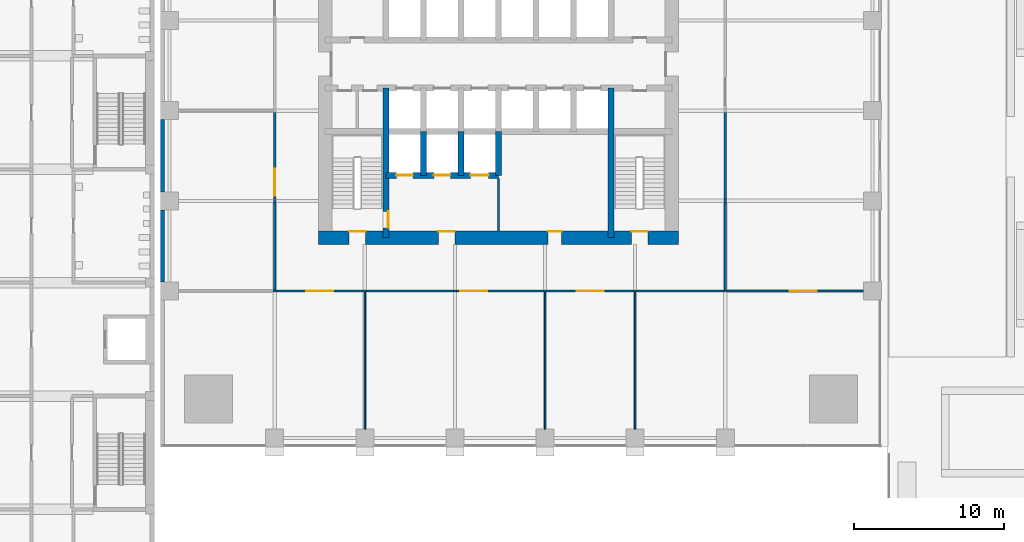
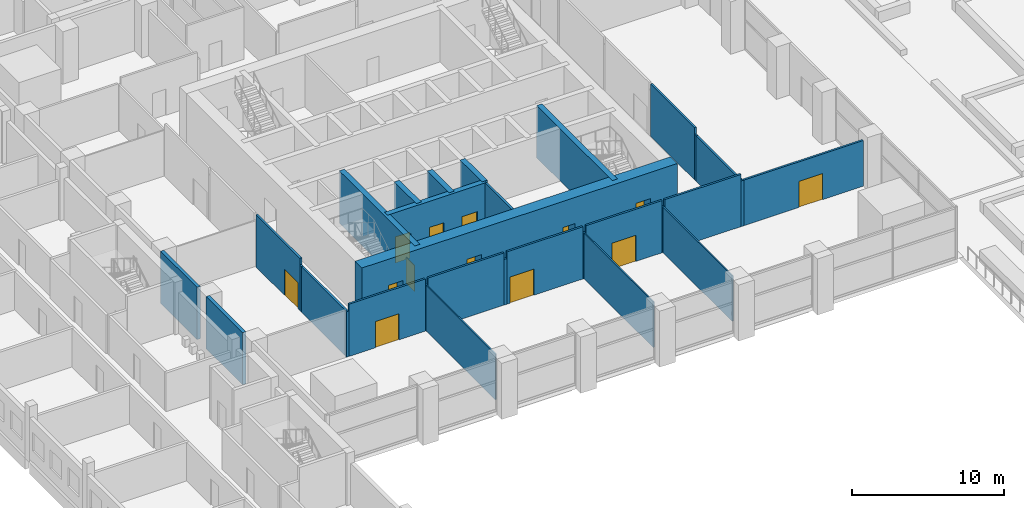
# One storey, part 19 of 34: 31 walls, 13 doors, 13 openings.
"""IFC4 building model written with IfcOpenShell, lengths in metres."""

from ifc_helpers import new_model, si_unit, direction, frame, frame_2d, origin, place, context, subcontext, project, spatial, rectangle, extrude, material, layer, layer_set, type_object, element, fill, save


model = new_model("IFC4")

# Units and contexts
model_context = context("Model", 3, precision=1e-05, world=origin(), true_north=direction((0.0, 1.0)))
body_context = subcontext(model_context, "Body", "Model", "MODEL_VIEW")
ifc_project = project(units=[si_unit("LENGTHUNIT", "METRE"), si_unit("AREAUNIT", "SQUARE_METRE"), si_unit("VOLUMEUNIT", "CUBIC_METRE"), si_unit("PLANEANGLEUNIT", "RADIAN"), si_unit("MASSUNIT", "GRAM", prefix="KILO")], contexts=[model_context])

# Site, building, storey
site_placement = place(None, origin())
site = spatial("IfcSite", under=ifc_project, at=site_placement, CompositionType="ELEMENT")
building_placement = place(site_placement, origin())
building = spatial("IfcBuilding", under=site, at=building_placement, Name="Amberfall Residences", CompositionType="ELEMENT")
storey_placement = place(building_placement, frame((0.0, 0.0, 5.5)))
storey = spatial("IfcBuildingStorey", under=building, at=storey_placement, Name="L01", CompositionType="ELEMENT", Elevation=5.5)

# Wall, opening, door
ifc_material_1 = material(Name="Concrete C80", Category="concrete")
ifc_layer_1 = layer(ifc_material_1, 0.39990234375)
ifc_layer_set_1 = layer_set([ifc_layer_1], Name="Core wall 400 C80")
wall_type_1 = type_object("IfcWallType", Name="Core wall 400 C80", PredefinedType="SHEAR", material=ifc_layer_set_1)
wall_1_placement = place(storey_placement, frame((67.0, 33.949951171875, 0.0), z_axis=(0.0, 0.0, 1.0), x_axis=(0.0, 1.0, 0.0)))
wall_1 = element("IfcWall", 1, at=wall_1_placement, inside=storey, type_object=wall_type_1, Name="Core wall RW2 L01 V45S", PredefinedType="SHEAR", context=body_context, shape_type="SweptSolid", body=[
    extrude(rectangle(XDim=9.949951171875, YDim=0.39990234375, at=frame_2d((4.97509765625, 0.0))), origin(), (0.0, 0.0, 1.0), 4.199951171875),
])
opening_1_placement = place(wall_1_placement, frame((0.64990234375, 0.0, 0.0)))
opening_1 = element("IfcOpeningElement", 2, at=opening_1_placement, cuts=wall_1, Name="Opening FL1", PredefinedType="OPENING", context=body_context, shape_type="SweptSolid", body=[
    extrude(rectangle(XDim=1.10009765625, YDim=2.10009765625, at=frame_2d((0.550048828125, 1.050048828125))), frame((0.0, 0.2099609375, 0.0), z_axis=(0.0, -1.0, 0.0), x_axis=(1.0, 0.0, 0.0)), (0.0, 0.0, 1.0), 0.419921875),
])
ifc_material_2 = material(Name="Steel fire door set", Category="steel")
door_type_1 = type_object("IfcDoorType", Name="Firefighting lobby door 1100 x 2100", OperationType="SINGLE_SWING_LEFT", PredefinedType="DOOR", material=ifc_material_2)
door_1_placement = place(opening_1_placement, origin())
door_1 = element("IfcDoor", 3, at=door_1_placement, inside=storey, type_object=door_type_1, Name="FL1 L01", OperationType="SINGLE_SWING_RIGHT", OverallHeight=2.10009765625, OverallWidth=1.10009765625, PredefinedType="DOOR", context=body_context, shape_type="SweptSolid", body=[
    extrude(rectangle(XDim=1.10009765625, YDim=2.10009765625, at=frame_2d((0.550048828125, 1.050048828125))), frame((0.0, -0.1376953125, 0.0), z_axis=(0.0, -1.0, 0.0), x_axis=(1.0, 0.0, 0.0)), (0.0, 0.0, 1.0), 0.050048828125),
])
fill(opening_1, door_1)

# Wall
wall_2_placement = place(storey_placement, frame((82.0, 33.949951171875, 0.0), z_axis=(0.0, 0.0, 1.0), x_axis=(0.0, 1.0, 0.0)))
element("IfcWall", 4, at=wall_2_placement, inside=storey, type_object=wall_type_1, Name="Core wall RW2 L01 V195S", PredefinedType="SHEAR", context=body_context, shape_type="SweptSolid", body=[
    extrude(rectangle(XDim=9.949951171875, YDim=0.39990234375, at=frame_2d((4.97509765625, 0.0))), origin(), (0.0, 0.0, 1.0), 4.199951171875),
])

# Wall, openings, doors
wall_3_placement = place(storey_placement, frame((67.0, 38.10009765625, 0.0), z_axis=(0.0, 0.0, 1.0), x_axis=(1.0, 0.0, 0.0)))
wall_3 = element("IfcWall", 5, at=wall_3_placement, inside=storey, type_object=wall_type_1, Name="Core wall RW2 L01 FFF", PredefinedType="SHEAR", context=body_context, shape_type="SweptSolid", body=[
    extrude(rectangle(XDim=7.5, YDim=0.39990234375, at=frame_2d((3.75, 0.0))), origin(), (0.0, 0.0, 1.0), 4.199951171875),
])
opening_2_placement = place(wall_3_placement, frame((0.699951171875, 0.0, 0.0)))
opening_2 = element("IfcOpeningElement", 6, at=opening_2_placement, cuts=wall_3, Name="Opening LD2", PredefinedType="OPENING", context=body_context, shape_type="SweptSolid", body=[
    extrude(rectangle(XDim=1.10009765625, YDim=2.10009765625, at=frame_2d((0.550048828125, 1.050048828125))), frame((0.0, 0.2099609375, 0.0), z_axis=(0.0, -1.0, 0.0), x_axis=(1.0, 0.0, 0.0)), (0.0, 0.0, 1.0), 0.419921875),
])
opening_3_placement = place(wall_3_placement, frame((3.199951171875, 0.0, 0.0)))
opening_3 = element("IfcOpeningElement", 7, at=opening_3_placement, cuts=wall_3, Name="Opening LD2", PredefinedType="OPENING", context=body_context, shape_type="SweptSolid", body=[
    extrude(rectangle(XDim=1.10009765625, YDim=2.10009765625, at=frame_2d((0.550048828125, 1.050048828125))), frame((0.0, 0.2099609375, 0.0), z_axis=(0.0, -1.0, 0.0), x_axis=(1.0, 0.0, 0.0)), (0.0, 0.0, 1.0), 0.419921875),
])
opening_4_placement = place(wall_3_placement, frame((5.64990234375, 0.0, 0.0)))
opening_4 = element("IfcOpeningElement", 8, at=opening_4_placement, cuts=wall_3, Name="Opening LD3", PredefinedType="OPENING", context=body_context, shape_type="SweptSolid", body=[
    extrude(rectangle(XDim=1.199951171875, YDim=2.10009765625, at=frame_2d((0.60009765625, 1.050048828125))), frame((0.0, 0.2099609375, 0.0), z_axis=(0.0, -1.0, 0.0), x_axis=(1.0, 0.0, 0.0)), (0.0, 0.0, 1.0), 0.419921875),
])
door_type_2 = type_object("IfcDoorType", Name="Firefighting lift landing door 1100 x 2100", OperationType="DOUBLE_DOOR_SLIDING", PredefinedType="DOOR", material=ifc_material_2)
door_2_placement = place(opening_2_placement, origin())
door_2 = element("IfcDoor", 9, at=door_2_placement, inside=storey, type_object=door_type_2, Name="Landing door FF1 L01", OperationType="DOUBLE_DOOR_SLIDING", OverallHeight=2.10009765625, OverallWidth=1.10009765625, PredefinedType="DOOR", context=body_context, shape_type="SweptSolid", body=[
    extrude(rectangle(XDim=1.10009765625, YDim=2.10009765625, at=frame_2d((0.550048828125, 1.050048828125))), frame((0.0, 0.02490234375, 0.0), z_axis=(0.0, -1.0, 0.0), x_axis=(1.0, 0.0, 0.0)), (0.0, 0.0, 1.0), 0.050048828125),
])
fill(opening_2, door_2)
door_3_placement = place(opening_3_placement, origin())
door_3 = element("IfcDoor", 10, at=door_3_placement, inside=storey, type_object=door_type_2, Name="Landing door FF2 L01", OperationType="DOUBLE_DOOR_SLIDING", OverallHeight=2.10009765625, OverallWidth=1.10009765625, PredefinedType="DOOR", context=body_context, shape_type="SweptSolid", body=[
    extrude(rectangle(XDim=1.10009765625, YDim=2.10009765625, at=frame_2d((0.550048828125, 1.050048828125))), frame((0.0, 0.02490234375, 0.0), z_axis=(0.0, -1.0, 0.0), x_axis=(1.0, 0.0, 0.0)), (0.0, 0.0, 1.0), 0.050048828125),
])
fill(opening_3, door_3)
door_type_3 = type_object("IfcDoorType", Name="Service lift landing door 1200 x 2100", OperationType="DOUBLE_DOOR_SLIDING", PredefinedType="DOOR", material=ifc_material_2)
door_4_placement = place(opening_4_placement, origin())
door_4 = element("IfcDoor", 11, at=door_4_placement, inside=storey, type_object=door_type_3, Name="Landing door SL1 L01", OperationType="DOUBLE_DOOR_SLIDING", OverallHeight=2.10009765625, OverallWidth=1.199951171875, PredefinedType="DOOR", context=body_context, shape_type="SweptSolid", body=[
    extrude(rectangle(XDim=1.199951171875, YDim=2.10009765625, at=frame_2d((0.60009765625, 1.050048828125))), frame((0.0, 0.02490234375, 0.0), z_axis=(0.0, -1.0, 0.0), x_axis=(1.0, 0.0, 0.0)), (0.0, 0.0, 1.0), 0.050048828125),
])
fill(opening_4, door_4)

# Walls
for number, where, z_axis, x_axis, name in (
    (12, (69.5, 38.10009765625, 0.0), (0.0, 0.0, 1.0), (0.0, 1.0, 0.0), "Core wall RW2 L01 FFD1"),
    (13, (72.0, 38.10009765625, 0.0), (0.0, 0.0, 1.0), (0.0, 1.0, 0.0), "Core wall RW2 L01 FFD2"),
    (14, (74.5, 38.10009765625, 0.0), (0.0, 0.0, 1.0), (0.0, 1.0, 0.0), "Core wall RW2 L01 FFD3"),
):
    element("IfcWall", number, at=place(storey_placement, frame(where, z_axis=z_axis, x_axis=x_axis)), inside=storey, type_object=wall_type_1, Name=name, PredefinedType="SHEAR", context=body_context, shape_type="SweptSolid", body=[
        extrude(rectangle(XDim=2.89990234375, YDim=0.39990234375, at=frame_2d((1.449951171875, 0.0))), origin(), (0.0, 0.0, 1.0), 4.199951171875),
    ])

# Wall, openings, doors
ifc_layer_2 = layer(ifc_material_1, 0.89990234375)
ifc_layer_set_2 = layer_set([ifc_layer_2], Name="Core wall 900 C80")
wall_type_2 = type_object("IfcWallType", Name="Core wall 900 C80", PredefinedType="SHEAR", material=ifc_layer_set_2)
wall_4_placement = place(storey_placement, frame((62.5, 33.949951171875, 0.0), z_axis=(0.0, 0.0, 1.0), x_axis=(1.0, 0.0, 0.0)))
wall_4 = element("IfcWall", 15, at=wall_4_placement, inside=storey, type_object=wall_type_2, Name="Core wall RW1 L01 OS", PredefinedType="SHEAR", context=body_context, shape_type="SweptSolid", body=[
    extrude(rectangle(XDim=24.0, YDim=0.89990234375, at=frame_2d((12.0, 0.0))), origin(), (0.0, 0.0, 1.0), 4.199951171875),
])
opening_5_placement = place(wall_4_placement, frame((2.050048828125, 0.0, 0.0)))
opening_5 = element("IfcOpeningElement", 16, at=opening_5_placement, cuts=wall_4, Name="Opening SD1", PredefinedType="OPENING", context=body_context, shape_type="SweptSolid", body=[
    extrude(rectangle(XDim=1.10009765625, YDim=2.10009765625, at=frame_2d((0.550048828125, 1.050048828125))), frame((0.0, 0.4599609375, 0.0), z_axis=(0.0, -1.0, 0.0), x_axis=(1.0, 0.0, 0.0)), (0.0, 0.0, 1.0), 0.919921875),
])
opening_6_placement = place(wall_4_placement, frame((20.85009765625, 0.0, 0.0)))
opening_6 = element("IfcOpeningElement", 17, at=opening_6_placement, cuts=wall_4, Name="Opening SD1", PredefinedType="OPENING", context=body_context, shape_type="SweptSolid", body=[
    extrude(rectangle(XDim=1.10009765625, YDim=2.10009765625, at=frame_2d((0.550048828125, 1.050048828125))), frame((0.0, 0.4599609375, 0.0), z_axis=(0.0, -1.0, 0.0), x_axis=(1.0, 0.0, 0.0)), (0.0, 0.0, 1.0), 0.919921875),
])
opening_7_placement = place(wall_4_placement, frame((8.0, 0.0, 0.0)))
opening_7 = element("IfcOpeningElement", 18, at=opening_7_placement, cuts=wall_4, Name="Opening FL1", PredefinedType="OPENING", context=body_context, shape_type="SweptSolid", body=[
    extrude(rectangle(XDim=1.10009765625, YDim=2.10009765625, at=frame_2d((0.550048828125, 1.050048828125))), frame((0.0, 0.4599609375, 0.0), z_axis=(0.0, -1.0, 0.0), x_axis=(1.0, 0.0, 0.0)), (0.0, 0.0, 1.0), 0.919921875),
])
opening_8_placement = place(wall_4_placement, frame((15.300048828125, 0.0, 0.0)))
opening_8 = element("IfcOpeningElement", 19, at=opening_8_placement, cuts=wall_4, Name="Opening RD1", PredefinedType="OPENING", context=body_context, shape_type="SweptSolid", body=[
    extrude(rectangle(XDim=0.89990234375, YDim=2.10009765625, at=frame_2d((0.449951171875, 1.050048828125))), frame((0.0, 0.4599609375, 0.0), z_axis=(0.0, -1.0, 0.0), x_axis=(1.0, 0.0, 0.0)), (0.0, 0.0, 1.0), 0.919921875),
])
door_5_placement = place(opening_7_placement, origin())
door_5 = element("IfcDoor", 20, at=door_5_placement, inside=storey, type_object=door_type_1, Name="FL1 L01", OperationType="SINGLE_SWING_LEFT", OverallHeight=2.10009765625, OverallWidth=1.10009765625, PredefinedType="DOOR", context=body_context, shape_type="SweptSolid", body=[
    extrude(rectangle(XDim=1.10009765625, YDim=2.10009765625, at=frame_2d((0.550048828125, 1.050048828125))), frame((0.0, 0.4375, 0.0), z_axis=(0.0, -1.0, 0.0), x_axis=(1.0, 0.0, 0.0)), (0.0, 0.0, 1.0), 0.050048828125),
])
fill(opening_7, door_5)
door_type_4 = type_object("IfcDoorType", Name="Service room door 900 x 2100", OperationType="SINGLE_SWING_LEFT", PredefinedType="DOOR", material=ifc_material_2)
door_6_placement = place(opening_8_placement, origin())
door_6 = element("IfcDoor", 21, at=door_6_placement, inside=storey, type_object=door_type_4, Name="RD1 L01", OperationType="SINGLE_SWING_LEFT", OverallHeight=2.10009765625, OverallWidth=0.89990234375, PredefinedType="DOOR", context=body_context, shape_type="SweptSolid", body=[
    extrude(rectangle(XDim=0.89990234375, YDim=2.10009765625, at=frame_2d((0.449951171875, 1.050048828125))), frame((0.0, 0.4375, 0.0), z_axis=(0.0, -1.0, 0.0), x_axis=(1.0, 0.0, 0.0)), (0.0, 0.0, 1.0), 0.050048828125),
])
fill(opening_8, door_6)
door_type_5 = type_object("IfcDoorType", Name="Stair door 1100 x 2100", OperationType="SINGLE_SWING_LEFT", PredefinedType="DOOR", material=ifc_material_2)
door_7_placement = place(opening_5_placement, origin())
door_7 = element("IfcDoor", 22, at=door_7_placement, inside=storey, type_object=door_type_5, Name="SD1 L01", OperationType="SINGLE_SWING_LEFT", OverallHeight=2.10009765625, OverallWidth=1.10009765625, PredefinedType="DOOR", context=body_context, shape_type="SweptSolid", body=[
    extrude(rectangle(XDim=1.10009765625, YDim=2.10009765625, at=frame_2d((0.550048828125, 1.050048828125))), frame((0.0, 0.4375, 0.0), z_axis=(0.0, -1.0, 0.0), x_axis=(1.0, 0.0, 0.0)), (0.0, 0.0, 1.0), 0.050048828125),
])
fill(opening_5, door_7)
door_8_placement = place(opening_6_placement, origin())
door_8 = element("IfcDoor", 23, at=door_8_placement, inside=storey, type_object=door_type_5, Name="SD1 L01", OperationType="SINGLE_SWING_RIGHT", OverallHeight=2.10009765625, OverallWidth=1.10009765625, PredefinedType="DOOR", context=body_context, shape_type="SweptSolid", body=[
    extrude(rectangle(XDim=1.10009765625, YDim=2.10009765625, at=frame_2d((0.550048828125, 1.050048828125))), frame((0.0, 0.4375, 0.0), z_axis=(0.0, -1.0, 0.0), x_axis=(1.0, 0.0, 0.0)), (0.0, 0.0, 1.0), 0.050048828125),
])
fill(opening_6, door_8)

# Walls
ifc_material_3 = material(Name="Gypsum board on steel studs", Category="steel")
ifc_layer_3 = layer(ifc_material_3, 0.10009765625)
ifc_layer_set_3 = layer_set([ifc_layer_3], Name="Partition 100")
wall_type_3 = type_object("IfcWallType", Name="Partition 100", PredefinedType="PARTITIONING", material=ifc_layer_set_3)
for number, where, z_axis, x_axis, name in (
    (24, (65.60009765625, 21.199951171875, 0.0), (0.0, 0.0, 1.0), (0.0, 1.0, 0.0), "Partition 100 L01 003"),
    (25, (77.60009765625, 21.199951171875, 0.0), (0.0, 0.0, 1.0), (0.0, 1.0, 0.0), "Partition 100 L01 010"),
    (26, (83.60009765625, 21.199951171875, 0.0), (0.0, 0.0, 1.0), (0.0, 1.0, 0.0), "Partition 100 L01 011"),
):
    element("IfcWall", number, at=place(storey_placement, frame(where, z_axis=z_axis, x_axis=x_axis)), inside=storey, type_object=wall_type_3, Name=name, PredefinedType="PARTITIONING", context=body_context, shape_type="SweptSolid", body=[
        extrude(rectangle(XDim=9.125, YDim=0.10009765625, at=frame_2d((4.5625, 0.0))), origin(), (0.0, 0.0, 1.0), 3.659912109375),
    ])
ifc_material_4 = material(Name="Fire-rated gypsum board on steel studs", Category="steel")
ifc_layer_4 = layer(ifc_material_4, 0.14990234375)
ifc_layer_set_4 = layer_set([ifc_layer_4], Name="Partition 150 fire-rated")
wall_type_4 = type_object("IfcWallType", Name="Partition 150 fire-rated", PredefinedType="PARTITIONING", material=ifc_layer_set_4)
wall_5_placement = place(storey_placement, frame((59.49462890625, 30.39990234375, 0.0), z_axis=(0.0, 0.0, 1.0), x_axis=(1.0, 0.0, 0.0)))
element("IfcWall", 27, at=wall_5_placement, inside=storey, type_object=wall_type_4, Name="Partition 150 fire-rated L01 002", PredefinedType="PARTITIONING", context=body_context, shape_type="SweptSolid", body=[
    extrude(rectangle(XDim=0.210693359375, YDim=0.14990234375, at=frame_2d((0.10546875, 0.0))), origin(), (0.0, 0.0, 1.0), 3.659912109375),
])

# Wall, opening, door
wall_6_placement = place(storey_placement, frame((59.705322265625, 30.39990234375, 0.0), z_axis=(0.0, 0.0, 1.0), x_axis=(1.0, 0.0, 0.0)))
wall_6 = element("IfcWall", 28, at=wall_6_placement, inside=storey, type_object=wall_type_4, Name="Partition 150 fire-rated L01 003", PredefinedType="PARTITIONING", context=body_context, shape_type="SweptSolid", body=[
    extrude(rectangle(XDim=5.789306640625, YDim=0.14990234375, at=frame_2d((2.89453125, 0.0))), origin(), (0.0, 0.0, 1.0), 4.199951171875),
])
opening_9_placement = place(wall_6_placement, frame((1.99462890625, 0.0, 0.0)))
opening_9 = element("IfcOpeningElement", 29, at=opening_9_placement, cuts=wall_6, Name="Opening D5", PredefinedType="OPENING", context=body_context, shape_type="SweptSolid", body=[
    extrude(rectangle(XDim=1.800048828125, YDim=2.10009765625, at=frame_2d((0.89990234375, 1.050048828125))), frame((0.0, 0.0849609375, 0.0), z_axis=(0.0, -1.0, 0.0), x_axis=(1.0, 0.0, 0.0)), (0.0, 0.0, 1.0), 0.169921875),
])
ifc_material_5 = material(Name="Timber veneer door leaf", Category="wood")
door_type_6 = type_object("IfcDoorType", Name="Double door 1800x2100", OperationType="DOUBLE_DOOR_SINGLE_SWING", PredefinedType="DOOR", material=ifc_material_5)
door_9_placement = place(opening_9_placement, origin())
door_9 = element("IfcDoor", 30, at=door_9_placement, inside=storey, type_object=door_type_6, Name="Door Clubhouse lounge", OperationType="DOUBLE_DOOR_SINGLE_SWING", OverallHeight=2.10009765625, OverallWidth=1.800048828125, PredefinedType="DOOR", context=body_context, shape_type="SweptSolid", body=[
    extrude(rectangle(XDim=1.800048828125, YDim=2.10009765625, at=frame_2d((0.89990234375, 1.050048828125))), frame((0.0, 0.02490234375, 0.0), z_axis=(0.0, -1.0, 0.0), x_axis=(1.0, 0.0, 0.0)), (0.0, 0.0, 1.0), 0.050048828125),
])
fill(opening_9, door_9)

# Walls
wall_7_placement = place(storey_placement, frame((65.49462890625, 30.39990234375, 0.0), z_axis=(0.0, 0.0, 1.0), x_axis=(1.0, 0.0, 0.0)))
element("IfcWall", 31, at=wall_7_placement, inside=storey, type_object=wall_type_4, Name="Partition 150 fire-rated L01 004", PredefinedType="PARTITIONING", context=body_context, shape_type="SweptSolid", body=[
    extrude(rectangle(XDim=0.210693359375, YDim=0.14990234375, at=frame_2d((0.10546875, 0.0))), origin(), (0.0, 0.0, 1.0), 3.659912109375),
])
wall_8_placement = place(storey_placement, frame((65.705322265625, 30.39990234375, 0.0), z_axis=(0.0, 0.0, 1.0), x_axis=(1.0, 0.0, 0.0)))
element("IfcWall", 32, at=wall_8_placement, inside=storey, type_object=wall_type_4, Name="Partition 150 fire-rated L01 005", PredefinedType="PARTITIONING", context=body_context, shape_type="SweptSolid", body=[
    extrude(rectangle(XDim=5.789306640625, YDim=0.14990234375, at=frame_2d((2.89453125, 0.0))), origin(), (0.0, 0.0, 1.0), 4.199951171875),
])
wall_9_placement = place(storey_placement, frame((71.49462890625, 30.39990234375, 0.0), z_axis=(0.0, 0.0, 1.0), x_axis=(1.0, 0.0, 0.0)))
element("IfcWall", 33, at=wall_9_placement, inside=storey, type_object=wall_type_4, Name="Partition 150 fire-rated L01 006", PredefinedType="PARTITIONING", context=body_context, shape_type="SweptSolid", body=[
    extrude(rectangle(XDim=0.210693359375, YDim=0.14990234375, at=frame_2d((0.10546875, 0.0))), origin(), (0.0, 0.0, 1.0), 3.659912109375),
])

# Wall, opening, door
wall_10_placement = place(storey_placement, frame((71.705322265625, 30.39990234375, 0.0), z_axis=(0.0, 0.0, 1.0), x_axis=(1.0, 0.0, 0.0)))
wall_10 = element("IfcWall", 34, at=wall_10_placement, inside=storey, type_object=wall_type_4, Name="Partition 150 fire-rated L01 007", PredefinedType="PARTITIONING", context=body_context, shape_type="SweptSolid", body=[
    extrude(rectangle(XDim=5.789306640625, YDim=0.14990234375, at=frame_2d((2.89453125, 0.0))), origin(), (0.0, 0.0, 1.0), 4.199951171875),
])
opening_10_placement = place(wall_10_placement, frame((0.24462890625, 0.0, 0.0)))
opening_10 = element("IfcOpeningElement", 35, at=opening_10_placement, cuts=wall_10, Name="Opening D5", PredefinedType="OPENING", context=body_context, shape_type="SweptSolid", body=[
    extrude(rectangle(XDim=1.800048828125, YDim=2.10009765625, at=frame_2d((0.89990234375, 1.050048828125))), frame((0.0, 0.0849609375, 0.0), z_axis=(0.0, -1.0, 0.0), x_axis=(1.0, 0.0, 0.0)), (0.0, 0.0, 1.0), 0.169921875),
])
door_10_placement = place(opening_10_placement, origin())
door_10 = element("IfcDoor", 36, at=door_10_placement, inside=storey, type_object=door_type_6, Name="Door Residents' dining room", OperationType="DOUBLE_DOOR_SINGLE_SWING", OverallHeight=2.10009765625, OverallWidth=1.800048828125, PredefinedType="DOOR", context=body_context, shape_type="SweptSolid", body=[
    extrude(rectangle(XDim=1.800048828125, YDim=2.10009765625, at=frame_2d((0.89990234375, 1.050048828125))), frame((0.0, 0.02490234375, 0.0), z_axis=(0.0, -1.0, 0.0), x_axis=(1.0, 0.0, 0.0)), (0.0, 0.0, 1.0), 0.050048828125),
])
fill(opening_10, door_10)

# Wall
wall_11_placement = place(storey_placement, frame((77.49462890625, 30.39990234375, 0.0), z_axis=(0.0, 0.0, 1.0), x_axis=(1.0, 0.0, 0.0)))
element("IfcWall", 37, at=wall_11_placement, inside=storey, type_object=wall_type_4, Name="Partition 150 fire-rated L01 008", PredefinedType="PARTITIONING", context=body_context, shape_type="SweptSolid", body=[
    extrude(rectangle(XDim=0.210693359375, YDim=0.14990234375, at=frame_2d((0.10546875, 0.0))), origin(), (0.0, 0.0, 1.0), 3.659912109375),
])

# Wall, opening, door
wall_12_placement = place(storey_placement, frame((77.705322265625, 30.39990234375, 0.0), z_axis=(0.0, 0.0, 1.0), x_axis=(1.0, 0.0, 0.0)))
wall_12 = element("IfcWall", 38, at=wall_12_placement, inside=storey, type_object=wall_type_4, Name="Partition 150 fire-rated L01 009", PredefinedType="PARTITIONING", context=body_context, shape_type="SweptSolid", body=[
    extrude(rectangle(XDim=5.789306640625, YDim=0.14990234375, at=frame_2d((2.89453125, 0.0))), origin(), (0.0, 0.0, 1.0), 4.199951171875),
])
opening_11_placement = place(wall_12_placement, frame((1.99462890625, 0.0, 0.0)))
opening_11 = element("IfcOpeningElement", 39, at=opening_11_placement, cuts=wall_12, Name="Opening D5", PredefinedType="OPENING", context=body_context, shape_type="SweptSolid", body=[
    extrude(rectangle(XDim=1.800048828125, YDim=2.10009765625, at=frame_2d((0.89990234375, 1.050048828125))), frame((0.0, 0.0849609375, 0.0), z_axis=(0.0, -1.0, 0.0), x_axis=(1.0, 0.0, 0.0)), (0.0, 0.0, 1.0), 0.169921875),
])
door_11_placement = place(opening_11_placement, origin())
door_11 = element("IfcDoor", 40, at=door_11_placement, inside=storey, type_object=door_type_6, Name="Door Function room", OperationType="DOUBLE_DOOR_SINGLE_SWING", OverallHeight=2.10009765625, OverallWidth=1.800048828125, PredefinedType="DOOR", context=body_context, shape_type="SweptSolid", body=[
    extrude(rectangle(XDim=1.800048828125, YDim=2.10009765625, at=frame_2d((0.89990234375, 1.050048828125))), frame((0.0, 0.02490234375, 0.0), z_axis=(0.0, -1.0, 0.0), x_axis=(1.0, 0.0, 0.0)), (0.0, 0.0, 1.0), 0.050048828125),
])
fill(opening_11, door_11)

# Walls
wall_13_placement = place(storey_placement, frame((83.49462890625, 30.39990234375, 0.0), z_axis=(0.0, 0.0, 1.0), x_axis=(1.0, 0.0, 0.0)))
element("IfcWall", 41, at=wall_13_placement, inside=storey, type_object=wall_type_4, Name="Partition 150 fire-rated L01 010", PredefinedType="PARTITIONING", context=body_context, shape_type="SweptSolid", body=[
    extrude(rectangle(XDim=0.210693359375, YDim=0.14990234375, at=frame_2d((0.10546875, 0.0))), origin(), (0.0, 0.0, 1.0), 3.659912109375),
])
wall_14_placement = place(storey_placement, frame((83.705322265625, 30.39990234375, 0.0), z_axis=(0.0, 0.0, 1.0), x_axis=(1.0, 0.0, 0.0)))
element("IfcWall", 42, at=wall_14_placement, inside=storey, type_object=wall_type_4, Name="Partition 150 fire-rated L01 011", PredefinedType="PARTITIONING", context=body_context, shape_type="SweptSolid", body=[
    extrude(rectangle(XDim=5.789306640625, YDim=0.14990234375, at=frame_2d((2.89453125, 0.0))), origin(), (0.0, 0.0, 1.0), 4.199951171875),
])
wall_15_placement = place(storey_placement, frame((89.49462890625, 30.39990234375, 0.0), z_axis=(0.0, 0.0, 1.0), x_axis=(1.0, 0.0, 0.0)))
element("IfcWall", 43, at=wall_15_placement, inside=storey, type_object=wall_type_4, Name="Partition 150 fire-rated L01 012", PredefinedType="PARTITIONING", context=body_context, shape_type="SweptSolid", body=[
    extrude(rectangle(XDim=0.210693359375, YDim=0.14990234375, at=frame_2d((0.10546875, 0.0))), origin(), (0.0, 0.0, 1.0), 3.659912109375),
])

# Wall, opening, door
wall_16_placement = place(storey_placement, frame((89.719970703125, 30.39990234375, 0.0), z_axis=(0.0, 0.0, 1.0), x_axis=(1.0, 0.0, 0.0)))
wall_16 = element("IfcWall", 44, at=wall_16_placement, inside=storey, type_object=wall_type_4, Name="Partition 150 fire-rated L01 013", PredefinedType="PARTITIONING", context=body_context, shape_type="SweptSolid", body=[
    extrude(rectangle(XDim=9.080078125, YDim=0.14990234375, at=frame_2d((4.5400390625, 0.0))), origin(), (0.0, 0.0, 1.0), 3.6669921875),
])
opening_12_placement = place(wall_16_placement, frame((4.179931640625, 0.0, 0.0)))
opening_12 = element("IfcOpeningElement", 45, at=opening_12_placement, cuts=wall_16, Name="Opening D5", PredefinedType="OPENING", context=body_context, shape_type="SweptSolid", body=[
    extrude(rectangle(XDim=1.800048828125, YDim=2.10009765625, at=frame_2d((0.89990234375, 1.050048828125))), frame((0.0, 0.0849609375, 0.0), z_axis=(0.0, -1.0, 0.0), x_axis=(1.0, 0.0, 0.0)), (0.0, 0.0, 1.0), 0.169921875),
])
door_12_placement = place(opening_12_placement, origin())
door_12 = element("IfcDoor", 46, at=door_12_placement, inside=storey, type_object=door_type_6, Name="Door Pool changing rooms", OperationType="DOUBLE_DOOR_SINGLE_SWING", OverallHeight=2.10009765625, OverallWidth=1.800048828125, PredefinedType="DOOR", context=body_context, shape_type="SweptSolid", body=[
    extrude(rectangle(XDim=1.800048828125, YDim=2.10009765625, at=frame_2d((0.89990234375, 1.050048828125))), frame((0.0, 0.02490234375, 0.0), z_axis=(0.0, -1.0, 0.0), x_axis=(1.0, 0.0, 0.0)), (0.0, 0.0, 1.0), 0.050048828125),
])
fill(opening_12, door_12)

# Walls
wall_17_placement = place(storey_placement, frame((59.60009765625, 30.47509765625, 0.0), z_axis=(0.0, 0.0, 1.0), x_axis=(0.0, 1.0, 0.0)))
element("IfcWall", 47, at=wall_17_placement, inside=storey, type_object=wall_type_4, Name="Partition 150 fire-rated L01 028", PredefinedType="PARTITIONING", context=body_context, shape_type="SweptSolid", body=[
    extrude(rectangle(XDim=5.8203125, YDim=0.14990234375, at=frame_2d((2.91015625, 0.0))), origin(), (0.0, 0.0, 1.0), 3.659912109375),
])
wall_18_placement = place(storey_placement, frame((59.60009765625, 36.30029296875, 0.0), z_axis=(0.0, 0.0, 1.0), x_axis=(0.0, 1.0, 0.0)))
element("IfcWall", 48, at=wall_18_placement, inside=storey, type_object=wall_type_4, Name="Partition 150 fire-rated L01 029", PredefinedType="PARTITIONING", context=body_context, shape_type="SweptSolid", body=[
    extrude(rectangle(XDim=0.204345703125, YDim=0.14990234375, at=frame_2d((0.10205078125, 0.0))), origin(), (0.0, 0.0, 1.0), 3.6669921875),
])

# Wall, opening, door
wall_19_placement = place(storey_placement, frame((59.60009765625, 36.504638671875, 0.0), z_axis=(0.0, 0.0, 1.0), x_axis=(0.0, 1.0, 0.0)))
wall_19 = element("IfcWall", 49, at=wall_19_placement, inside=storey, type_object=wall_type_4, Name="Partition 150 fire-rated L01 030", PredefinedType="PARTITIONING", context=body_context, shape_type="SweptSolid", body=[
    extrude(rectangle(XDim=5.790771484375, YDim=0.14990234375, at=frame_2d((2.8955078125, 0.0))), origin(), (0.0, 0.0, 1.0), 4.199951171875),
])
opening_13_placement = place(wall_19_placement, frame((0.245361328125, 0.0, 0.0)))
opening_13 = element("IfcOpeningElement", 50, at=opening_13_placement, cuts=wall_19, Name="Opening D5", PredefinedType="OPENING", context=body_context, shape_type="SweptSolid", body=[
    extrude(rectangle(XDim=1.800048828125, YDim=2.10009765625, at=frame_2d((0.89990234375, 1.050048828125))), frame((0.0, 0.0849609375, 0.0), z_axis=(0.0, -1.0, 0.0), x_axis=(1.0, 0.0, 0.0)), (0.0, 0.0, 1.0), 0.169921875),
])
door_13_placement = place(opening_13_placement, origin())
door_13 = element("IfcDoor", 51, at=door_13_placement, inside=storey, type_object=door_type_6, Name="Door Reading lounge", OperationType="DOUBLE_DOOR_SINGLE_SWING", OverallHeight=2.10009765625, OverallWidth=1.800048828125, PredefinedType="DOOR", context=body_context, shape_type="SweptSolid", body=[
    extrude(rectangle(XDim=1.800048828125, YDim=2.10009765625, at=frame_2d((0.89990234375, 1.050048828125))), frame((0.0, 0.02490234375, 0.0), z_axis=(0.0, -1.0, 0.0), x_axis=(1.0, 0.0, 0.0)), (0.0, 0.0, 1.0), 0.050048828125),
])
fill(opening_13, door_13)

# Walls
wall_20_placement = place(storey_placement, frame((89.60009765625, 30.47509765625, 0.0), z_axis=(0.0, 0.0, 1.0), x_axis=(0.0, 1.0, 0.0)))
element("IfcWall", 52, at=wall_20_placement, inside=storey, type_object=wall_type_4, Name="Partition 150 fire-rated L01 045", PredefinedType="PARTITIONING", context=body_context, shape_type="SweptSolid", body=[
    extrude(rectangle(XDim=5.819580078125, YDim=0.14990234375, at=frame_2d((2.90966796875, 0.0))), origin(), (0.0, 0.0, 1.0), 3.659912109375),
])
wall_21_placement = place(storey_placement, frame((89.60009765625, 36.299560546875, 0.0), z_axis=(0.0, 0.0, 1.0), x_axis=(0.0, 1.0, 0.0)))
element("IfcWall", 53, at=wall_21_placement, inside=storey, type_object=wall_type_4, Name="Partition 150 fire-rated L01 046", PredefinedType="PARTITIONING", context=body_context, shape_type="SweptSolid", body=[
    extrude(rectangle(XDim=0.205810546875, YDim=0.14990234375, at=frame_2d((0.10302734375, 0.0))), origin(), (0.0, 0.0, 1.0), 3.659912109375),
])
wall_22_placement = place(storey_placement, frame((89.60009765625, 36.50537109375, 0.0), z_axis=(0.0, 0.0, 1.0), x_axis=(0.0, 1.0, 0.0)))
element("IfcWall", 54, at=wall_22_placement, inside=storey, type_object=wall_type_4, Name="Partition 150 fire-rated L01 047", PredefinedType="PARTITIONING", context=body_context, shape_type="SweptSolid", body=[
    extrude(rectangle(XDim=5.789306640625, YDim=0.14990234375, at=frame_2d((2.89453125, 0.0))), origin(), (0.0, 0.0, 1.0), 4.199951171875),
])
ifc_material_6 = material(Name="Precast concrete C40", Category="concrete")
ifc_layer_5 = layer(ifc_material_6, 0.25)
ifc_layer_set_5 = layer_set([ifc_layer_5], Name="Podium external wall 250")
wall_type_5 = type_object("IfcWallType", Name="Podium external wall 250", PredefinedType="SOLIDWALL", material=ifc_layer_set_5)
for number, where, z_axis, x_axis, name in (
    (55, (52.125, 31.0, 0.0), (0.0, 0.0, 1.0), (0.0, 1.0, 0.0), "Podium external wall W2"),
    (56, (52.125, 37.0, 0.0), (0.0, 0.0, 1.0), (0.0, 1.0, 0.0), "Podium external wall W3"),
):
    element("IfcWall", number, at=place(storey_placement, frame(where, z_axis=z_axis, x_axis=x_axis)), inside=storey, type_object=wall_type_5, Name=name, PredefinedType="SOLIDWALL", context=body_context, shape_type="SweptSolid", body=[
        extrude(rectangle(XDim=4.800048828125, YDim=0.25, at=frame_2d((2.39990234375, 0.0))), origin(), (0.0, 0.0, 1.0), 4.199951171875),
    ])
ifc_material_7 = material(Name="Concrete blockwork", Category="masonry")
ifc_layer_6 = layer(ifc_material_7, 0.14990234375)
ifc_layer_set_6 = layer_set([ifc_layer_6], Name="Riser wall 150")
wall_type_6 = type_object("IfcWallType", Name="Riser wall 150", PredefinedType="PLUMBINGWALL", material=ifc_layer_set_6)
wall_23_placement = place(storey_placement, frame((74.5, 34.39990234375, 0.0), z_axis=(0.0, 0.0, 1.0), x_axis=(0.0, 1.0, 0.0)))
element("IfcWall", 57, at=wall_23_placement, inside=storey, type_object=wall_type_6, Name="L01 core wall PX", PredefinedType="PLUMBINGWALL", context=body_context, shape_type="SweptSolid", body=[
    extrude(rectangle(XDim=3.5, YDim=0.14990234375, at=frame_2d((1.75, 0.0))), origin(), (0.0, 0.0, 1.0), 4.199951171875),
])

save(model, "model.ifc")
